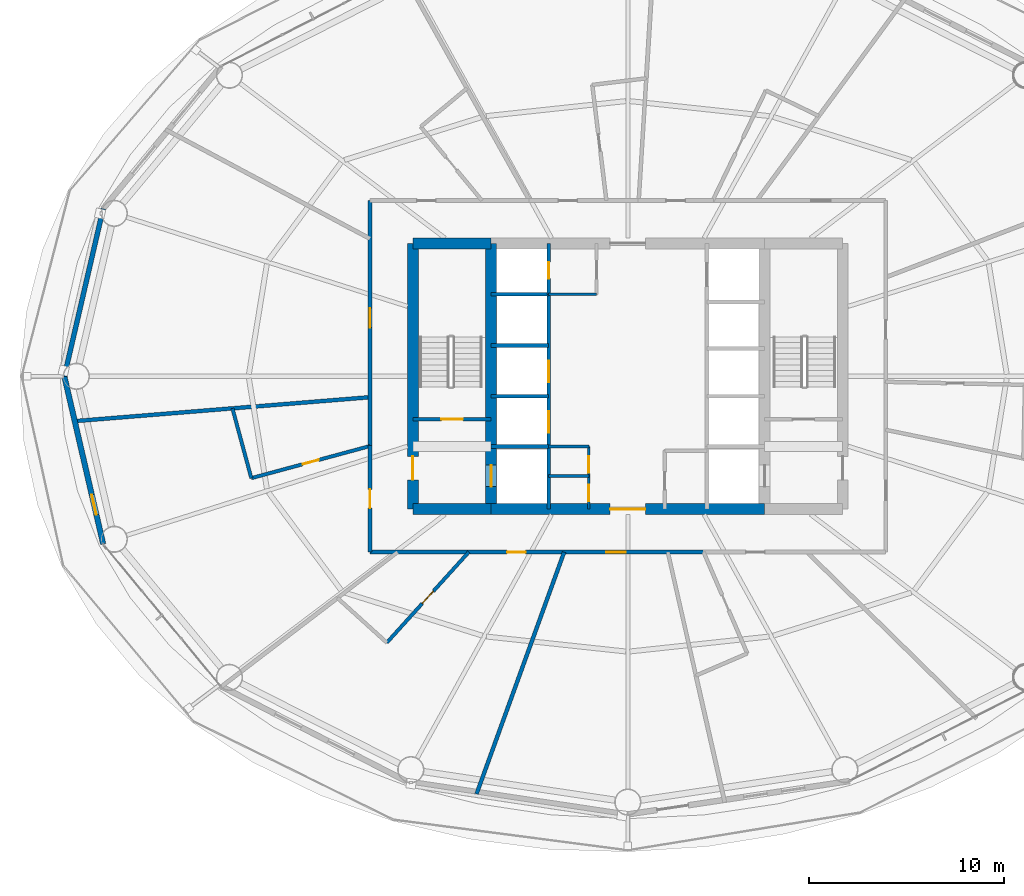
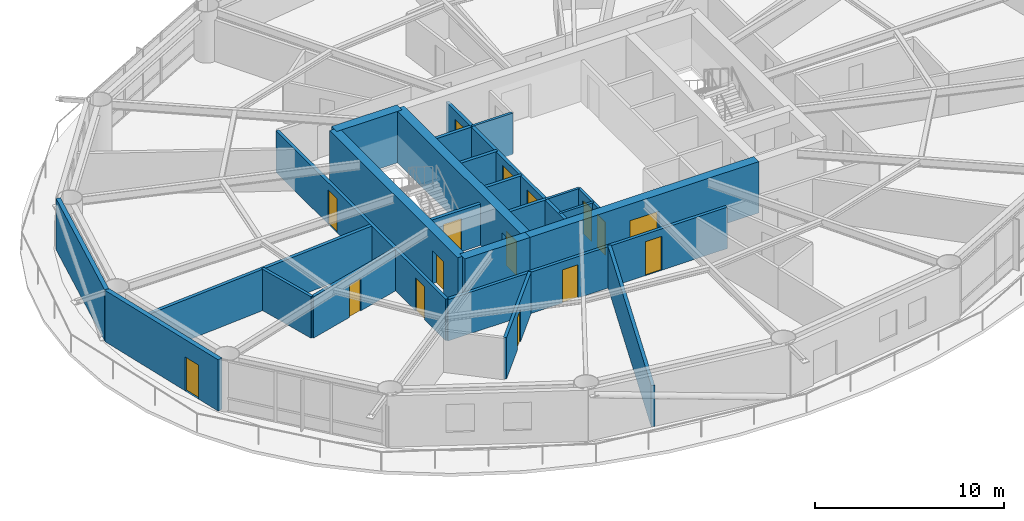
# One storey, part 18 of 24: 27 walls, 16 doors, 16 openings.
"""IFC4 building model written with IfcOpenShell, lengths in metres."""

from ifc_helpers import new_model, si_unit, direction, frame, frame_2d, origin, place, context, subcontext, project, spatial, rectangle, extrude, material, layer, layer_set, type_object, element, fill, save


model = new_model("IFC4")

# Units and contexts
model_context = context("Model", 3, precision=1e-05, world=origin(), true_north=direction((0.0, 1.0)))
body_context = subcontext(model_context, "Body", "Model", "MODEL_VIEW")
ifc_project = project(units=[si_unit("LENGTHUNIT", "METRE"), si_unit("AREAUNIT", "SQUARE_METRE"), si_unit("VOLUMEUNIT", "CUBIC_METRE"), si_unit("PLANEANGLEUNIT", "RADIAN"), si_unit("MASSUNIT", "GRAM", prefix="KILO")], contexts=[model_context])

# Site, building, storey
site_placement = place(None, origin())
site = spatial("IfcSite", under=ifc_project, at=site_placement, CompositionType="ELEMENT")
building_placement = place(site_placement, origin())
building = spatial("IfcBuilding", under=site, at=building_placement, Name="Sarneth Arch Tower", CompositionType="ELEMENT")
storey_placement = place(building_placement, frame((0.0, 0.0, 130.800048828125)))
storey = spatial("IfcBuildingStorey", under=building, at=storey_placement, Name="L33", CompositionType="ELEMENT", Elevation=130.800048828125)

# Wall
ifc_material_1 = material(Name="Concrete C60/75", Category="concrete")
ifc_layer_1 = layer(ifc_material_1, 0.550048828125)
ifc_layer_set_1 = layer_set([ifc_layer_1], Name="Concrete C60/75")
wall_type_1 = type_object("IfcWallType", Name="WALL-CORE-550", PredefinedType="SHEAR", material=ifc_layer_set_1)
wall_1_placement = place(storey_placement, frame((37.0, 35.199951171875, 0.0), z_axis=(0.0, 0.0, 1.0), x_axis=(1.0, 0.0, 0.0)))
element("IfcWall", 1, at=wall_1_placement, inside=storey, type_object=wall_type_1, Name="L33 Core shear wall S-W", PredefinedType="SHEAR", context=body_context, shape_type="SweptSolid", body=[
    extrude(rectangle(XDim=4.0, YDim=0.550048828125, at=frame_2d((2.0, 0.0))), origin(), (0.0, 0.0, 1.0), 3.320068359375),
])

# Wall, opening, door
wall_2_placement = place(storey_placement, frame((41.0, 35.199951171875, 0.0), z_axis=(0.0, 0.0, 1.0), x_axis=(1.0, 0.0, 0.0)))
wall_2 = element("IfcWall", 2, at=wall_2_placement, inside=storey, type_object=wall_type_1, Name="L33 Core shear wall S-M", PredefinedType="SHEAR", context=body_context, shape_type="SweptSolid", body=[
    extrude(rectangle(XDim=14.0, YDim=0.550048828125, at=frame_2d((7.0, 0.0))), origin(), (0.0, 0.0, 1.0), 3.320068359375),
])
opening_1_placement = place(wall_2_placement, frame((6.10009765625, 0.0, 0.0)))
opening_1 = element("IfcOpeningElement", 3, at=opening_1_placement, cuts=wall_2, Name="Opening FD-01", PredefinedType="OPENING", context=body_context, shape_type="SweptSolid", body=[
    extrude(rectangle(XDim=1.800048828125, YDim=2.25, at=frame_2d((0.89990234375, 1.125))), frame((0.0, 0.284912109375, 0.0), z_axis=(0.0, -1.0, 0.0), x_axis=(1.0, 0.0, 0.0)), (0.0, 0.0, 1.0), 0.570068359375),
])
ifc_material_2 = material(Name="Galvanised Steel S275 fire door set", Category="steel")
door_type_1 = type_object("IfcDoorType", Name="DR-FD90-1800", OperationType="DOUBLE_DOOR_SINGLE_SWING", PredefinedType="DOOR", material=ifc_material_2)
door_1_placement = place(opening_1_placement, origin())
door_1 = element("IfcDoor", 4, at=door_1_placement, inside=storey, type_object=door_type_1, Name="L33 Central lift lobby south door", OperationType="DOUBLE_DOOR_SINGLE_SWING", OverallHeight=2.25, OverallWidth=1.800048828125, PredefinedType="DOOR", context=body_context, shape_type="SweptSolid", body=[
    extrude(rectangle(XDim=1.800048828125, YDim=2.25, at=frame_2d((0.89990234375, 1.125))), frame((0.0, 0.02490234375, 0.0), z_axis=(0.0, -1.0, 0.0), x_axis=(1.0, 0.0, 0.0)), (0.0, 0.0, 1.0), 0.050048828125),
])
fill(opening_1, door_1)

# Wall
wall_3_placement = place(storey_placement, frame((37.0, 48.800048828125, 0.0), z_axis=(0.0, 0.0, 1.0), x_axis=(1.0, 0.0, 0.0)))
element("IfcWall", 5, at=wall_3_placement, inside=storey, type_object=wall_type_1, Name="L33 Core shear wall N-W", PredefinedType="SHEAR", context=body_context, shape_type="SweptSolid", body=[
    extrude(rectangle(XDim=4.0, YDim=0.550048828125, at=frame_2d((2.0, 0.0))), origin(), (0.0, 0.0, 1.0), 3.320068359375),
])

# Wall, opening, door
wall_4_placement = place(storey_placement, frame((37.0, 35.199951171875, 0.0), z_axis=(0.0, 0.0, 1.0), x_axis=(0.0, 1.0, 0.0)))
wall_4 = element("IfcWall", 6, at=wall_4_placement, inside=storey, type_object=wall_type_1, Name="L33 Core shear wall W", PredefinedType="SHEAR", context=body_context, shape_type="SweptSolid", body=[
    extrude(rectangle(XDim=13.60009765625, YDim=0.550048828125, at=frame_2d((6.800048828125, 0.0))), origin(), (0.0, 0.0, 1.0), 3.320068359375),
])
opening_2_placement = place(wall_4_placement, frame((1.5, 0.0, 0.0)))
opening_2 = element("IfcOpeningElement", 7, at=opening_2_placement, cuts=wall_4, Name="Opening FD-02", PredefinedType="OPENING", context=body_context, shape_type="SweptSolid", body=[
    extrude(rectangle(XDim=1.199951171875, YDim=2.14990234375, at=frame_2d((0.60009765625, 1.074951171875))), frame((0.0, 0.284912109375, 0.0), z_axis=(0.0, -1.0, 0.0), x_axis=(1.0, 0.0, 0.0)), (0.0, 0.0, 1.0), 0.570068359375),
])
ifc_material_3 = material(Name="Galvanised Steel S275 fire door set", Category="steel")
door_type_2 = type_object("IfcDoorType", Name="DR-FD90-1200", OperationType="SINGLE_SWING_LEFT", PredefinedType="DOOR", material=ifc_material_3)
door_2_placement = place(opening_2_placement, origin())
door_2 = element("IfcDoor", 8, at=door_2_placement, inside=storey, type_object=door_type_2, Name="L33 Firefighting lobby 1 exit door", OperationType="SINGLE_SWING_LEFT", OverallHeight=2.14990234375, OverallWidth=1.199951171875, PredefinedType="DOOR", context=body_context, shape_type="SweptSolid", body=[
    extrude(rectangle(XDim=1.199951171875, YDim=2.14990234375, at=frame_2d((0.60009765625, 1.074951171875))), frame((0.0, 0.02490234375, 0.0), z_axis=(0.0, -1.0, 0.0), x_axis=(1.0, 0.0, 0.0)), (0.0, 0.0, 1.0), 0.050048828125),
])
fill(opening_2, door_2)

wall_5_placement = place(storey_placement, frame((41.0, 35.199951171875, 0.0), z_axis=(0.0, 0.0, 1.0), x_axis=(0.0, 1.0, 0.0)))
wall_5 = element("IfcWall", 9, at=wall_5_placement, inside=storey, type_object=wall_type_1, Name="L33 Core shear wall WEB-W", PredefinedType="SHEAR", context=body_context, shape_type="SweptSolid", body=[
    extrude(rectangle(XDim=13.60009765625, YDim=0.550048828125, at=frame_2d((6.800048828125, 0.0))), origin(), (0.0, 0.0, 1.0), 3.320068359375),
])
opening_3_placement = place(wall_5_placement, frame((1.14990234375, 0.0, 0.0)))
opening_3 = element("IfcOpeningElement", 10, at=opening_3_placement, cuts=wall_5, Name="Opening LD-1", PredefinedType="OPENING", context=body_context, shape_type="SweptSolid", body=[
    extrude(rectangle(XDim=1.10009765625, YDim=2.199951171875, at=frame_2d((0.550048828125, 1.10009765625))), frame((0.0, 0.284912109375, 0.0), z_axis=(0.0, -1.0, 0.0), x_axis=(1.0, 0.0, 0.0)), (0.0, 0.0, 1.0), 0.570068359375),
])
ifc_material_4 = material(Name="Brushed Stainless Steel 304 lift landing door", Category="steel")
door_type_3 = type_object("IfcDoorType", Name="DR-LIFT-SLIDE-1100", OperationType="SLIDING_TO_LEFT", PredefinedType="DOOR", material=ifc_material_4)
door_3_placement = place(opening_3_placement, origin())
door_3 = element("IfcDoor", 11, at=door_3_placement, inside=storey, type_object=door_type_3, Name="L33 Firefighting lift landing door FL-1", OperationType="SLIDING_TO_LEFT", OverallHeight=2.199951171875, OverallWidth=1.10009765625, PredefinedType="DOOR", context=body_context, shape_type="SweptSolid", body=[
    extrude(rectangle(XDim=1.10009765625, YDim=2.199951171875, at=frame_2d((0.550048828125, 1.10009765625))), frame((0.0, 0.02490234375, 0.0), z_axis=(0.0, -1.0, 0.0), x_axis=(1.0, 0.0, 0.0)), (0.0, 0.0, 1.0), 0.050048828125),
])
fill(opening_3, door_3)

ifc_material_5 = material(Name="Double steel-stud corridor fire wall", Category="steel")
ifc_layer_2 = layer(ifc_material_5, 0.18994140625)
ifc_layer_set_2 = layer_set([ifc_layer_2], Name="Double steel-stud corridor fire wall")
wall_type_2 = type_object("IfcWallType", Name="WALL-CORR-190", PredefinedType="PARTITIONING", material=ifc_layer_set_2)
wall_6_placement = place(storey_placement, frame((34.800048828125, 38.396240234375, 0.0), z_axis=(0.0, 0.0, 1.0), x_axis=(0.0, 1.0, 0.0)))
wall_6 = element("IfcWall", 12, at=wall_6_placement, inside=storey, type_object=wall_type_2, Name="L33 Interior partition W-L33-TP-010", PredefinedType="PARTITIONING", context=body_context, shape_type="SweptSolid", body=[
    extrude(rectangle(XDim=12.603759765625, YDim=0.18994140625, at=frame_2d((6.3017578125, 0.0))), origin(), (0.0, 0.0, 1.0), 2.679931640625),
])
opening_4_placement = place(wall_6_placement, frame((6.093505859375, 0.0, 0.0)))
opening_4 = element("IfcOpeningElement", 13, at=opening_4_placement, cuts=wall_6, Name="Opening FD-08", PredefinedType="OPENING", context=body_context, shape_type="SweptSolid", body=[
    extrude(rectangle(XDim=1.0, YDim=2.199951171875, at=frame_2d((0.5, 1.10009765625))), frame((0.0, 0.10498046875, 0.0), z_axis=(0.0, -1.0, 0.0), x_axis=(1.0, 0.0, 0.0)), (0.0, 0.0, 1.0), 0.2099609375),
])
ifc_material_6 = material(Name="Hardwood timber acoustic fire door", Category="wood")
door_type_4 = type_object("IfcDoorType", Name="DR-FD60-1000", OperationType="SINGLE_SWING_LEFT", PredefinedType="DOOR", material=ifc_material_6)
door_4_placement = place(opening_4_placement, origin())
door_4 = element("IfcDoor", 14, at=door_4_placement, inside=storey, type_object=door_type_4, Name="L33 Interior door DR-L33-AMN-05", OperationType="SINGLE_SWING_RIGHT", OverallHeight=2.199951171875, OverallWidth=1.0, PredefinedType="DOOR", context=body_context, shape_type="SweptSolid", body=[
    extrude(rectangle(XDim=1.0, YDim=2.199951171875, at=frame_2d((0.5, 1.10009765625))), frame((0.0, 0.02490234375, 0.0), z_axis=(0.0, -1.0, 0.0), x_axis=(1.0, 0.0, 0.0)), (0.0, 0.0, 1.0), 0.050048828125),
])
fill(opening_4, door_4)

wall_7_placement = place(storey_placement, frame((34.800048828125, 33.0, 0.0), z_axis=(0.0, 0.0, 1.0), x_axis=(0.0, 1.0, 0.0)))
wall_7 = element("IfcWall", 15, at=wall_7_placement, inside=storey, type_object=wall_type_2, Name="L33 Interior partition W-L33-TP-012", PredefinedType="PARTITIONING", context=body_context, shape_type="SweptSolid", body=[
    extrude(rectangle(XDim=5.462646484375, YDim=0.18994140625, at=frame_2d((2.7314453125, 0.0))), origin(), (0.0, 0.0, 1.0), 2.679931640625),
])
opening_5_placement = place(wall_7_placement, frame((2.25634765625, 0.0, 0.0)))
opening_5 = element("IfcOpeningElement", 16, at=opening_5_placement, cuts=wall_7, Name="Opening FD-09", PredefinedType="OPENING", context=body_context, shape_type="SweptSolid", body=[
    extrude(rectangle(XDim=0.949951171875, YDim=2.14990234375, at=frame_2d((0.47509765625, 1.074951171875))), frame((0.0, 0.10498046875, 0.0), z_axis=(0.0, -1.0, 0.0), x_axis=(1.0, 0.0, 0.0)), (0.0, 0.0, 1.0), 0.2099609375),
])
ifc_material_7 = material(Name="Hardwood timber hotel entrance fire door", Category="wood")
door_type_5 = type_object("IfcDoorType", Name="DR-FD60-950", OperationType="SINGLE_SWING_RIGHT", PredefinedType="DOOR", material=ifc_material_7)
door_5_placement = place(opening_5_placement, origin())
door_5 = element("IfcDoor", 17, at=door_5_placement, inside=storey, type_object=door_type_5, Name="L33 Interior door DR-L33-KEY-06", OperationType="SINGLE_SWING_LEFT", OverallHeight=2.14990234375, OverallWidth=0.949951171875, PredefinedType="DOOR", context=body_context, shape_type="SweptSolid", body=[
    extrude(rectangle(XDim=0.949951171875, YDim=2.14990234375, at=frame_2d((0.47509765625, 1.074951171875))), frame((0.0, 0.02490234375, 0.0), z_axis=(0.0, -1.0, 0.0), x_axis=(1.0, 0.0, 0.0)), (0.0, 0.0, 1.0), 0.050048828125),
])
fill(opening_5, door_5)

# Wall, openings, doors
wall_8_placement = place(storey_placement, frame((51.914306640625, 33.0, 0.0), z_axis=(0.0, 0.0, 1.0), x_axis=(-1.0, 0.0, 0.0)))
wall_8 = element("IfcWall", 18, at=wall_8_placement, inside=storey, type_object=wall_type_2, Name="L33 Interior partition W-L33-TP-016", PredefinedType="PARTITIONING", context=body_context, shape_type="SweptSolid", body=[
    extrude(rectangle(XDim=17.1142578125, YDim=0.18994140625, at=frame_2d((8.55712890625, 0.0))), origin(), (0.0, 0.0, 1.0), 2.679931640625),
])
opening_6_placement = place(wall_8_placement, frame((4.020751953125, 0.0, 0.0)))
opening_6 = element("IfcOpeningElement", 19, at=opening_6_placement, cuts=wall_8, Name="Opening FD-08", PredefinedType="OPENING", context=body_context, shape_type="SweptSolid", body=[
    extrude(rectangle(XDim=1.0, YDim=2.199951171875, at=frame_2d((0.5, 1.10009765625))), frame((0.0, 0.10498046875, 0.0), z_axis=(0.0, -1.0, 0.0), x_axis=(1.0, 0.0, 0.0)), (0.0, 0.0, 1.0), 0.2099609375),
])
opening_7_placement = place(wall_8_placement, frame((9.144775390625, 0.0, 0.0)))
opening_7 = element("IfcOpeningElement", 20, at=opening_7_placement, cuts=wall_8, Name="Opening FD-09", PredefinedType="OPENING", context=body_context, shape_type="SweptSolid", body=[
    extrude(rectangle(XDim=0.949951171875, YDim=2.14990234375, at=frame_2d((0.47509765625, 1.074951171875))), frame((0.0, 0.10498046875, 0.0), z_axis=(0.0, -1.0, 0.0), x_axis=(1.0, 0.0, 0.0)), (0.0, 0.0, 1.0), 0.2099609375),
])
door_6_placement = place(opening_6_placement, origin())
door_6 = element("IfcDoor", 21, at=door_6_placement, inside=storey, type_object=door_type_4, Name="L33 Interior door DR-L33-AMN-08", OperationType="SINGLE_SWING_RIGHT", OverallHeight=2.199951171875, OverallWidth=1.0, PredefinedType="DOOR", context=body_context, shape_type="SweptSolid", body=[
    extrude(rectangle(XDim=1.0, YDim=2.199951171875, at=frame_2d((0.5, 1.10009765625))), frame((0.0, 0.02490234375, 0.0), z_axis=(0.0, -1.0, 0.0), x_axis=(1.0, 0.0, 0.0)), (0.0, 0.0, 1.0), 0.050048828125),
])
fill(opening_6, door_6)
door_7_placement = place(opening_7_placement, origin())
door_7 = element("IfcDoor", 22, at=door_7_placement, inside=storey, type_object=door_type_5, Name="L33 Interior door DR-L33-KEY-07", OperationType="SINGLE_SWING_RIGHT", OverallHeight=2.14990234375, OverallWidth=0.949951171875, PredefinedType="DOOR", context=body_context, shape_type="SweptSolid", body=[
    extrude(rectangle(XDim=0.949951171875, YDim=2.14990234375, at=frame_2d((0.47509765625, 1.074951171875))), frame((0.0, 0.02490234375, 0.0), z_axis=(0.0, -1.0, 0.0), x_axis=(1.0, 0.0, 0.0)), (0.0, 0.0, 1.0), 0.050048828125),
])
fill(opening_7, door_7)

# Wall
ifc_material_8 = material(Name="Extruded terracotta rainscreen on Concrete C40/50 backing", Category="masonry")
ifc_layer_3 = layer(ifc_material_8, 0.25)
ifc_layer_set_3 = layer_set([ifc_layer_3], Name="Extruded terracotta rainscreen on Concrete C40/50 backing")
wall_type_3 = type_object("IfcWallType", Name="WALL-EXT-SPAND-250", PredefinedType="SOLIDWALL", material=ifc_layer_set_3)
wall_9_placement = place(storey_placement, frame((21.138671875, 50.58349609375, 0.0), z_axis=(0.0, 0.0, 1.0), x_axis=(-0.22558597182, -0.974223264616, 0.0)))
element("IfcWall", 23, at=wall_9_placement, inside=storey, type_object=wall_type_3, Name="L33 Terracotta perimeter wall 08", PredefinedType="SOLIDWALL", context=body_context, shape_type="SweptSolid", body=[
    extrude(rectangle(XDim=8.810546875, YDim=0.25, at=frame_2d((4.4052734375, 0.0))), origin(), (0.0, 0.0, 1.0), 3.320068359375),
])

# Wall, opening, door
ifc_material_9 = material(Name="Extruded terracotta rainscreen on Concrete C40/50 backing", Category="masonry")
ifc_layer_4 = layer(ifc_material_9, 0.280029296875)
ifc_layer_set_4 = layer_set([ifc_layer_4], Name="Extruded terracotta rainscreen on Concrete C40/50 backing")
wall_type_4 = type_object("IfcWallType", Name="WALL-EXT-TERRA-280", PredefinedType="SOLIDWALL", material=ifc_layer_set_4)
wall_10_placement = place(storey_placement, frame((19.151123046875, 42.0, 0.0), z_axis=(0.0, 0.0, 1.0), x_axis=(0.22558597182, -0.974223264616, 0.0)))
wall_10 = element("IfcWall", 24, at=wall_10_placement, inside=storey, type_object=wall_type_4, Name="L33 Terracotta perimeter wall 09", PredefinedType="SOLIDWALL", context=body_context, shape_type="SweptSolid", body=[
    extrude(rectangle(XDim=8.810546875, YDim=0.280029296875, at=frame_2d((4.4052734375, 0.0))), origin(), (0.0, 0.0, 1.0), 3.320068359375),
])
opening_8_placement = place(wall_10_placement, frame((6.224609375, 0.0, 0.0)))
opening_8 = element("IfcOpeningElement", 25, at=opening_8_placement, cuts=wall_10, Name="Opening BD-4", PredefinedType="OPENING", context=body_context, shape_type="SweptSolid", body=[
    extrude(rectangle(XDim=1.050048828125, YDim=2.199951171875, at=frame_2d((0.52490234375, 1.10009765625))), frame((0.0, 0.14990234375, 0.0), z_axis=(0.0, -1.0, 0.0), x_axis=(1.0, 0.0, 0.0)), (0.0, 0.0, 1.0), 0.300048828125),
])
ifc_material_10 = material(Name="Thermally broken Aluminium 6063-T6 and laminated safety glass", Category="aluminium")
door_type_6 = type_object("IfcDoorType", Name="DR-BALC-GLZ-1050", OperationType="SINGLE_SWING_RIGHT", PredefinedType="DOOR", material=ifc_material_10)
door_8_placement = place(opening_8_placement, origin())
door_8 = element("IfcDoor", 26, at=door_8_placement, inside=storey, type_object=door_type_6, Name="L33 Balcony glazed door 09", OperationType="SINGLE_SWING_RIGHT", OverallHeight=2.199951171875, OverallWidth=1.050048828125, PredefinedType="DOOR", context=body_context, shape_type="SweptSolid", body=[
    extrude(rectangle(XDim=1.050048828125, YDim=2.199951171875, at=frame_2d((0.52490234375, 1.10009765625))), frame((0.0, 0.02490234375, 0.0), z_axis=(0.0, -1.0, 0.0), x_axis=(1.0, 0.0, 0.0)), (0.0, 0.0, 1.0), 0.050048828125),
])
fill(opening_8, door_8)

# Walls
ifc_material_11 = material(Name="Acoustic gypsum stud partition", Category="gypsum")
ifc_layer_5 = layer(ifc_material_11, 0.14990234375)
ifc_layer_set_5 = layer_set([ifc_layer_5], Name="Acoustic gypsum stud partition")
wall_type_5 = type_object("IfcWallType", Name="WALL-PART-150", PredefinedType="PARTITIONING", material=ifc_layer_set_5)
for number, where, z_axis, x_axis, name in (
    (27, (43.949951171875, 36.89990234375, 0.0), (0.0, 0.0, 1.0), (1.0, 0.0, 0.0), "L33 Interior partition W-L33-CSUP-M"),
    (28, (43.949951171875, 38.39990234375, 0.0), (0.0, 0.0, 1.0), (1.0, 0.0, 0.0), "L33 Interior partition W-L33-CSUP-N"),
):
    element("IfcWall", number, at=place(storey_placement, frame(where, z_axis=z_axis, x_axis=x_axis)), inside=storey, type_object=wall_type_5, Name=name, PredefinedType="PARTITIONING", context=body_context, shape_type="SweptSolid", body=[
        extrude(rectangle(XDim=2.050048828125, YDim=0.14990234375, at=frame_2d((1.02490234375, 0.0))), origin(), (0.0, 0.0, 1.0), 2.679931640625),
    ])

# Wall, openings, doors
wall_11_placement = place(storey_placement, frame((46.0, 35.199951171875, 0.0), z_axis=(0.0, 0.0, 1.0), x_axis=(0.0, 1.0, 0.0)))
wall_11 = element("IfcWall", 29, at=wall_11_placement, inside=storey, type_object=wall_type_5, Name="L33 Interior partition W-L33-CSUP-E", PredefinedType="PARTITIONING", context=body_context, shape_type="SweptSolid", body=[
    extrude(rectangle(XDim=3.199951171875, YDim=0.14990234375, at=frame_2d((1.60009765625, 0.0))), origin(), (0.0, 0.0, 1.0), 2.679931640625),
])
opening_9_placement = place(wall_11_placement, frame((0.39990234375, 0.0, 0.0)))
opening_9 = element("IfcOpeningElement", 30, at=opening_9_placement, cuts=wall_11, Name="Opening FD-11", PredefinedType="OPENING", context=body_context, shape_type="SweptSolid", body=[
    extrude(rectangle(XDim=0.85009765625, YDim=2.14990234375, at=frame_2d((0.425048828125, 1.074951171875))), frame((0.0, 0.0849609375, 0.0), z_axis=(0.0, -1.0, 0.0), x_axis=(1.0, 0.0, 0.0)), (0.0, 0.0, 1.0), 0.169921875),
])
opening_10_placement = place(wall_11_placement, frame((1.85009765625, 0.0, 0.0)))
opening_10 = element("IfcOpeningElement", 31, at=opening_10_placement, cuts=wall_11, Name="Opening FD-11", PredefinedType="OPENING", context=body_context, shape_type="SweptSolid", body=[
    extrude(rectangle(XDim=0.85009765625, YDim=2.14990234375, at=frame_2d((0.425048828125, 1.074951171875))), frame((0.0, 0.0849609375, 0.0), z_axis=(0.0, -1.0, 0.0), x_axis=(1.0, 0.0, 0.0)), (0.0, 0.0, 1.0), 0.169921875),
])
ifc_material_12 = material(Name="Galvanised Steel S275 closet fire door", Category="steel")
door_type_7 = type_object("IfcDoorType", Name="DR-FD60-850", OperationType="SINGLE_SWING_LEFT", PredefinedType="DOOR", material=ifc_material_12)
door_9_placement = place(opening_9_placement, origin())
door_9 = element("IfcDoor", 32, at=door_9_placement, inside=storey, type_object=door_type_7, Name="L33 Interior door DR-L33-CSUP1", OperationType="SINGLE_SWING_LEFT", OverallHeight=2.14990234375, OverallWidth=0.85009765625, PredefinedType="DOOR", context=body_context, shape_type="SweptSolid", body=[
    extrude(rectangle(XDim=0.85009765625, YDim=2.14990234375, at=frame_2d((0.425048828125, 1.074951171875))), frame((0.0, 0.02490234375, 0.0), z_axis=(0.0, -1.0, 0.0), x_axis=(1.0, 0.0, 0.0)), (0.0, 0.0, 1.0), 0.050048828125),
])
fill(opening_9, door_9)
door_10_placement = place(opening_10_placement, origin())
door_10 = element("IfcDoor", 33, at=door_10_placement, inside=storey, type_object=door_type_7, Name="L33 Interior door DR-L33-CSUP2", OperationType="SINGLE_SWING_RIGHT", OverallHeight=2.14990234375, OverallWidth=0.85009765625, PredefinedType="DOOR", context=body_context, shape_type="SweptSolid", body=[
    extrude(rectangle(XDim=0.85009765625, YDim=2.14990234375, at=frame_2d((0.425048828125, 1.074951171875))), frame((0.0, 0.02490234375, 0.0), z_axis=(0.0, -1.0, 0.0), x_axis=(1.0, 0.0, 0.0)), (0.0, 0.0, 1.0), 0.050048828125),
])
fill(opening_10, door_10)

# Wall
wall_12_placement = place(storey_placement, frame((43.949951171875, 46.199951171875, 0.0), z_axis=(0.0, 0.0, 1.0), x_axis=(1.0, 0.0, 0.0)))
element("IfcWall", 34, at=wall_12_placement, inside=storey, type_object=wall_type_5, Name="L33 Interior partition W-L33-CSUP3-S", PredefinedType="PARTITIONING", context=body_context, shape_type="SweptSolid", body=[
    extrude(rectangle(XDim=2.449951171875, YDim=0.14990234375, at=frame_2d((1.22509765625, 0.0))), origin(), (0.0, 0.0, 1.0), 2.679931640625),
])

# Wall, opening, door
ifc_material_13 = material(Name="Moisture-resistant plumbing chase wall", Category="gypsum")
ifc_layer_6 = layer(ifc_material_13, 0.179931640625)
ifc_layer_set_6 = layer_set([ifc_layer_6], Name="Moisture-resistant plumbing chase wall")
wall_type_6 = type_object("IfcWallType", Name="WALL-PLUMB-180", PredefinedType="PLUMBINGWALL", material=ifc_layer_set_6)
wall_13_placement = place(storey_placement, frame((28.72412109375, 36.785888671875, 0.0), z_axis=(0.0, 0.0, 1.0), x_axis=(0.965306865657, 0.261118086535, 0.0)))
wall_13 = element("IfcWall", 35, at=wall_13_placement, inside=storey, type_object=wall_type_6, Name="L33 Interior partition W-L33-TP-040", PredefinedType="PLUMBINGWALL", context=body_context, shape_type="SweptSolid", body=[
    extrude(rectangle(XDim=6.294189453125, YDim=0.179931640625, at=frame_2d((3.14697265625, 0.0))), origin(), (0.0, 0.0, 1.0), 2.679931640625),
])
opening_11_placement = place(wall_13_placement, frame((2.72216796875, 0.0, 0.0)))
opening_11 = element("IfcOpeningElement", 36, at=opening_11_placement, cuts=wall_13, Name="Opening ID-02", PredefinedType="OPENING", context=body_context, shape_type="SweptSolid", body=[
    extrude(rectangle(XDim=0.85009765625, YDim=2.10009765625, at=frame_2d((0.425048828125, 1.050048828125))), frame((0.0, 0.099853515625, 0.0), z_axis=(0.0, -1.0, 0.0), x_axis=(1.0, 0.0, 0.0)), (0.0, 0.0, 1.0), 0.199951171875),
])
ifc_material_14 = material(Name="Moisture-resistant bathroom timber door", Category="wood")
door_type_8 = type_object("IfcDoorType", Name="DR-INT-850", OperationType="SINGLE_SWING_RIGHT", PredefinedType="DOOR", material=ifc_material_14)
door_11_placement = place(opening_11_placement, origin())
door_11 = element("IfcDoor", 37, at=door_11_placement, inside=storey, type_object=door_type_8, Name="L33 Interior door DR-L33-ENS-06", OperationType="SINGLE_SWING_LEFT", OverallHeight=2.10009765625, OverallWidth=0.85009765625, PredefinedType="DOOR", context=body_context, shape_type="SweptSolid", body=[
    extrude(rectangle(XDim=0.85009765625, YDim=2.10009765625, at=frame_2d((0.425048828125, 1.050048828125))), frame((0.0, 0.02490234375, 0.0), z_axis=(0.0, -1.0, 0.0), x_axis=(1.0, 0.0, 0.0)), (0.0, 0.0, 1.0), 0.050048828125),
])
fill(opening_11, door_11)

wall_14_placement = place(storey_placement, frame((39.857421875, 33.0, 0.0), z_axis=(0.0, 0.0, 1.0), x_axis=(-0.670890833363, -0.741556127147, 0.0)))
wall_14 = element("IfcWall", 38, at=wall_14_placement, inside=storey, type_object=wall_type_6, Name="L33 Interior partition W-L33-TP-043", PredefinedType="PLUMBINGWALL", context=body_context, shape_type="SweptSolid", body=[
    extrude(rectangle(XDim=6.25341796875, YDim=0.179931640625, at=frame_2d((3.126708984375, 0.0))), origin(), (0.0, 0.0, 1.0), 2.679931640625),
])
opening_12_placement = place(wall_14_placement, frame((2.70166015625, 0.0, 0.0)))
opening_12 = element("IfcOpeningElement", 39, at=opening_12_placement, cuts=wall_14, Name="Opening ID-02", PredefinedType="OPENING", context=body_context, shape_type="SweptSolid", body=[
    extrude(rectangle(XDim=0.85009765625, YDim=2.10009765625, at=frame_2d((0.425048828125, 1.050048828125))), frame((0.0, 0.099853515625, 0.0), z_axis=(0.0, -1.0, 0.0), x_axis=(1.0, 0.0, 0.0)), (0.0, 0.0, 1.0), 0.199951171875),
])
door_12_placement = place(opening_12_placement, origin())
door_12 = element("IfcDoor", 40, at=door_12_placement, inside=storey, type_object=door_type_8, Name="L33 Interior door DR-L33-ENS-07", OperationType="SINGLE_SWING_LEFT", OverallHeight=2.10009765625, OverallWidth=0.85009765625, PredefinedType="DOOR", context=body_context, shape_type="SweptSolid", body=[
    extrude(rectangle(XDim=0.85009765625, YDim=2.10009765625, at=frame_2d((0.425048828125, 1.050048828125))), frame((0.0, 0.02490234375, 0.0), z_axis=(0.0, -1.0, 0.0), x_axis=(1.0, 0.0, 0.0)), (0.0, 0.0, 1.0), 0.050048828125),
])
fill(opening_12, door_12)

# Wall
wall_15_placement = place(storey_placement, frame((27.757568359375, 40.3583984375, 0.0), z_axis=(0.0, 0.0, 1.0), x_axis=(0.261163229173, -0.96529465332, 0.0)))
element("IfcWall", 41, at=wall_15_placement, inside=storey, type_object=wall_type_6, Name="L33 Interior partition W-L33-TP-039", PredefinedType="PLUMBINGWALL", context=body_context, shape_type="SweptSolid", body=[
    extrude(rectangle(XDim=3.700927734375, YDim=0.179931640625, at=frame_2d((1.8505859375, 0.0))), origin(), (0.0, 0.0, 1.0), 2.679931640625),
])

# Wall, opening, door
ifc_material_15 = material(Name="Aerated concrete blockwork C25/30", Category="masonry")
ifc_layer_7 = layer(ifc_material_15, 0.199951171875)
ifc_layer_set_7 = layer_set([ifc_layer_7], Name="Aerated concrete blockwork C25/30")
wall_type_7 = type_object("IfcWallType", Name="WALL-SHAFT-200", PredefinedType="SOLIDWALL", material=ifc_layer_set_7)
wall_16_placement = place(storey_placement, frame((37.0, 39.800048828125, 0.0), z_axis=(0.0, 0.0, 1.0), x_axis=(1.0, 0.0, 0.0)))
wall_16 = element("IfcWall", 42, at=wall_16_placement, inside=storey, type_object=wall_type_7, Name="L33 Interior partition W-L33-ST1-S", PredefinedType="SOLIDWALL", context=body_context, shape_type="SweptSolid", body=[
    extrude(rectangle(XDim=4.0, YDim=0.199951171875, at=frame_2d((2.0, 0.0))), origin(), (0.0, 0.0, 1.0), 2.679931640625),
])
opening_13_placement = place(wall_16_placement, frame((1.449951171875, 0.0, 0.0)))
opening_13 = element("IfcOpeningElement", 43, at=opening_13_placement, cuts=wall_16, Name="Opening FD-03", PredefinedType="OPENING", context=body_context, shape_type="SweptSolid", body=[
    extrude(rectangle(XDim=1.10009765625, YDim=2.14990234375, at=frame_2d((0.550048828125, 1.074951171875))), frame((0.0, 0.10986328125, 0.0), z_axis=(0.0, -1.0, 0.0), x_axis=(1.0, 0.0, 0.0)), (0.0, 0.0, 1.0), 0.219970703125),
])
ifc_material_16 = material(Name="Galvanised Steel S275 fire door set", Category="steel")
door_type_9 = type_object("IfcDoorType", Name="DR-FD90-1100", OperationType="SINGLE_SWING_LEFT", PredefinedType="DOOR", material=ifc_material_16)
door_13_placement = place(opening_13_placement, origin())
door_13 = element("IfcDoor", 44, at=door_13_placement, inside=storey, type_object=door_type_9, Name="L33 Interior door DR-L33-ST1", OperationType="SINGLE_SWING_LEFT", OverallHeight=2.14990234375, OverallWidth=1.10009765625, PredefinedType="DOOR", context=body_context, shape_type="SweptSolid", body=[
    extrude(rectangle(XDim=1.10009765625, YDim=2.14990234375, at=frame_2d((0.550048828125, 1.074951171875))), frame((0.0, 0.02490234375, 0.0), z_axis=(0.0, -1.0, 0.0), x_axis=(1.0, 0.0, 0.0)), (0.0, 0.0, 1.0), 0.050048828125),
])
fill(opening_13, door_13)

# Walls
wall_17_placement = place(storey_placement, frame((43.949951171875, 35.199951171875, 0.0), z_axis=(0.0, 0.0, 1.0), x_axis=(0.0, 1.0, 0.0)))
element("IfcWall", 45, at=wall_17_placement, inside=storey, type_object=wall_type_7, Name="L33 Interior partition W-L33-FL1-E", PredefinedType="SOLIDWALL", context=body_context, shape_type="SweptSolid", body=[
    extrude(rectangle(XDim=3.199951171875, YDim=0.199951171875, at=frame_2d((1.60009765625, 0.0))), origin(), (0.0, 0.0, 1.0), 2.679931640625),
])
for number, where, z_axis, x_axis, name in (
    (46, (41.0, 38.39990234375, 0.0), (0.0, 0.0, 1.0), (1.0, 0.0, 0.0), "L33 Interior partition W-L33-FL1-N"),
    (47, (41.0, 46.199951171875, 0.0), (0.0, 0.0, 1.0), (1.0, 0.0, 0.0), "L33 Interior partition W-L33-RISER-S"),
):
    element("IfcWall", number, at=place(storey_placement, frame(where, z_axis=z_axis, x_axis=x_axis)), inside=storey, type_object=wall_type_7, Name=name, PredefinedType="SOLIDWALL", context=body_context, shape_type="SweptSolid", body=[
        extrude(rectangle(XDim=2.949951171875, YDim=0.199951171875, at=frame_2d((1.47509765625, 0.0))), origin(), (0.0, 0.0, 1.0), 2.679931640625),
    ])

# Wall, opening, door
wall_18_placement = place(storey_placement, frame((43.949951171875, 46.199951171875, 0.0), z_axis=(0.0, 0.0, 1.0), x_axis=(0.0, 1.0, 0.0)))
wall_18 = element("IfcWall", 48, at=wall_18_placement, inside=storey, type_object=wall_type_7, Name="L33 Interior partition W-L33-RISER-E", PredefinedType="SOLIDWALL", context=body_context, shape_type="SweptSolid", body=[
    extrude(rectangle(XDim=2.60009765625, YDim=0.199951171875, at=frame_2d((1.300048828125, 0.0))), origin(), (0.0, 0.0, 1.0), 2.679931640625),
])
opening_14_placement = place(wall_18_placement, frame((0.800048828125, 0.0, 0.0)))
opening_14 = element("IfcOpeningElement", 49, at=opening_14_placement, cuts=wall_18, Name="Opening FD-11", PredefinedType="OPENING", context=body_context, shape_type="SweptSolid", body=[
    extrude(rectangle(XDim=0.85009765625, YDim=2.14990234375, at=frame_2d((0.425048828125, 1.074951171875))), frame((0.0, 0.10986328125, 0.0), z_axis=(0.0, -1.0, 0.0), x_axis=(1.0, 0.0, 0.0)), (0.0, 0.0, 1.0), 0.219970703125),
])
door_14_placement = place(opening_14_placement, origin())
door_14 = element("IfcDoor", 50, at=door_14_placement, inside=storey, type_object=door_type_7, Name="L33 Lift landing door DR-L33-RISER", OperationType="SINGLE_SWING_LEFT", OverallHeight=2.14990234375, OverallWidth=0.85009765625, PredefinedType="DOOR", context=body_context, shape_type="SweptSolid", body=[
    extrude(rectangle(XDim=0.85009765625, YDim=2.14990234375, at=frame_2d((0.425048828125, 1.074951171875))), frame((0.0, 0.02490234375, 0.0), z_axis=(0.0, -1.0, 0.0), x_axis=(1.0, 0.0, 0.0)), (0.0, 0.0, 1.0), 0.050048828125),
])
fill(opening_14, door_14)

# Wall, openings, doors
wall_19_placement = place(storey_placement, frame((43.949951171875, 38.39990234375, 0.0), z_axis=(0.0, 0.0, 1.0), x_axis=(0.0, 1.0, 0.0)))
wall_19 = element("IfcWall", 51, at=wall_19_placement, inside=storey, type_object=wall_type_7, Name="L33 Interior partition W-L33-WESTBANK-FRONT", PredefinedType="SOLIDWALL", context=body_context, shape_type="SweptSolid", body=[
    extrude(rectangle(XDim=7.800048828125, YDim=0.199951171875, at=frame_2d((3.89990234375, 0.0))), origin(), (0.0, 0.0, 1.0), 2.679931640625),
])
opening_15_placement = place(wall_19_placement, frame((0.699951171875, 0.0, 0.0)))
opening_15 = element("IfcOpeningElement", 52, at=opening_15_placement, cuts=wall_19, Name="Opening LD-1", PredefinedType="OPENING", context=body_context, shape_type="SweptSolid", body=[
    extrude(rectangle(XDim=1.10009765625, YDim=2.199951171875, at=frame_2d((0.550048828125, 1.10009765625))), frame((0.0, 0.10986328125, 0.0), z_axis=(0.0, -1.0, 0.0), x_axis=(1.0, 0.0, 0.0)), (0.0, 0.0, 1.0), 0.219970703125),
])
opening_16_placement = place(wall_19_placement, frame((3.300048828125, 0.0, 0.0)))
opening_16 = element("IfcOpeningElement", 53, at=opening_16_placement, cuts=wall_19, Name="Opening LD-1", PredefinedType="OPENING", context=body_context, shape_type="SweptSolid", body=[
    extrude(rectangle(XDim=1.10009765625, YDim=2.199951171875, at=frame_2d((0.550048828125, 1.10009765625))), frame((0.0, 0.10986328125, 0.0), z_axis=(0.0, -1.0, 0.0), x_axis=(1.0, 0.0, 0.0)), (0.0, 0.0, 1.0), 0.219970703125),
])
door_15_placement = place(opening_15_placement, origin())
door_15 = element("IfcDoor", 54, at=door_15_placement, inside=storey, type_object=door_type_3, Name="L33 Lift landing door DR-L33-LD-PL1", OperationType="SLIDING_TO_LEFT", OverallHeight=2.199951171875, OverallWidth=1.10009765625, PredefinedType="DOOR", context=body_context, shape_type="SweptSolid", body=[
    extrude(rectangle(XDim=1.10009765625, YDim=2.199951171875, at=frame_2d((0.550048828125, 1.10009765625))), frame((0.0, 0.02490234375, 0.0), z_axis=(0.0, -1.0, 0.0), x_axis=(1.0, 0.0, 0.0)), (0.0, 0.0, 1.0), 0.050048828125),
])
fill(opening_15, door_15)
door_16_placement = place(opening_16_placement, origin())
door_16 = element("IfcDoor", 55, at=door_16_placement, inside=storey, type_object=door_type_3, Name="L33 Lift landing door DR-L33-LD-PL2", OperationType="SLIDING_TO_RIGHT", OverallHeight=2.199951171875, OverallWidth=1.10009765625, PredefinedType="DOOR", context=body_context, shape_type="SweptSolid", body=[
    extrude(rectangle(XDim=1.10009765625, YDim=2.199951171875, at=frame_2d((0.550048828125, 1.10009765625))), frame((0.0, 0.02490234375, 0.0), z_axis=(0.0, -1.0, 0.0), x_axis=(1.0, 0.0, 0.0)), (0.0, 0.0, 1.0), 0.050048828125),
])
fill(opening_16, door_16)

# Walls
for number, where, z_axis, x_axis, name in (
    (56, (41.0, 40.97998046875, 0.0), (0.0, 0.0, 1.0), (1.0, 0.0, 0.0), "L33 Interior partition W-L33-WB-DIV-4098"),
    (57, (41.0, 43.580078125, 0.0), (0.0, 0.0, 1.0), (1.0, 0.0, 0.0), "L33 Interior partition W-L33-WB-DIV-4358"),
):
    element("IfcWall", number, at=place(storey_placement, frame(where, z_axis=z_axis, x_axis=x_axis)), inside=storey, type_object=wall_type_7, Name=name, PredefinedType="SOLIDWALL", context=body_context, shape_type="SweptSolid", body=[
        extrude(rectangle(XDim=2.949951171875, YDim=0.199951171875, at=frame_2d((1.47509765625, 0.0))), origin(), (0.0, 0.0, 1.0), 2.679931640625),
    ])
ifc_material_17 = material(Name="Double steel-stud acoustic drywall", Category="steel")
ifc_layer_8 = layer(ifc_material_17, 0.199951171875)
ifc_layer_set_8 = layer_set([ifc_layer_8], Name="Double steel-stud acoustic drywall")
wall_type_8 = type_object("IfcWallType", Name="WALL-UNIT-200", PredefinedType="PARTITIONING", material=ifc_layer_set_8)
wall_20_placement = place(storey_placement, frame((44.740478515625, 33.0, 0.0), z_axis=(0.0, 0.0, 1.0), x_axis=(-0.340540254487, -0.940229937342, 0.0)))
element("IfcWall", 58, at=wall_20_placement, inside=storey, type_object=wall_type_8, Name="L33 Interior partition W-L33-TP-045", PredefinedType="PARTITIONING", context=body_context, shape_type="SweptSolid", body=[
    extrude(rectangle(XDim=13.17138671875, YDim=0.199951171875, at=frame_2d((6.585693359375, 0.0))), origin(), (0.0, 0.0, 1.0), 2.679931640625),
])
wall_21_placement = place(storey_placement, frame((34.800048828125, 40.929443359375, 0.0), z_axis=(0.0, 0.0, 1.0), x_axis=(-0.996728109279, -0.080827446901, 0.0)))
element("IfcWall", 59, at=wall_21_placement, inside=storey, type_object=wall_type_8, Name="L33 Interior partition W-L33-TP-037", PredefinedType="PARTITIONING", context=body_context, shape_type="SweptSolid", body=[
    extrude(rectangle(XDim=15.286865234375, YDim=0.199951171875, at=frame_2d((7.6435546875, 0.0))), origin(), (0.0, 0.0, 1.0), 2.679931640625),
])

save(model, "model.ifc")
